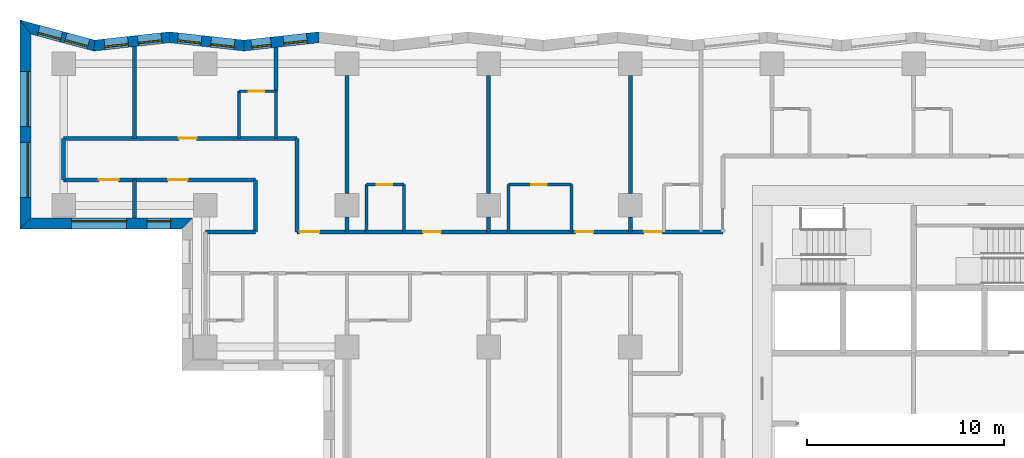
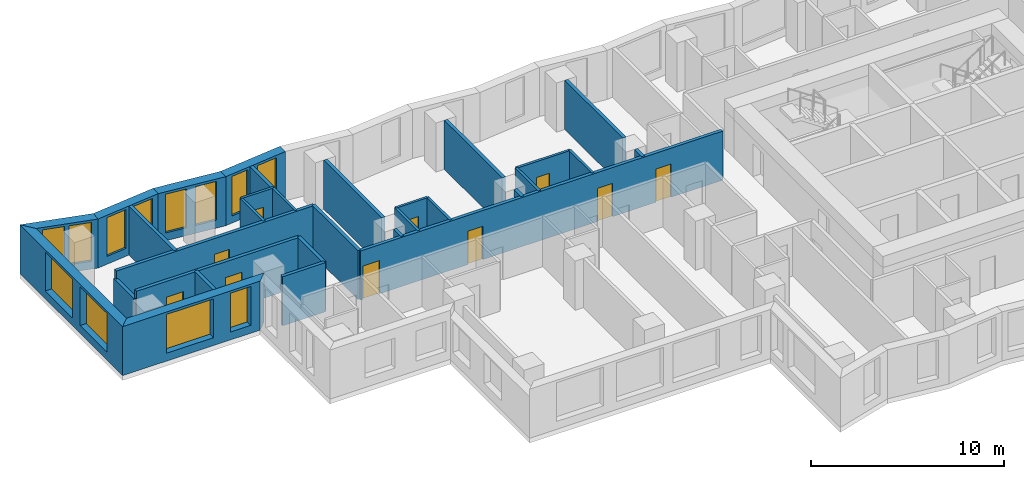
# One storey, part 4 of 13: 31 walls, 12 windows, 10 doors, 22 openings.
"""IFC4 building model written with IfcOpenShell, lengths in metres."""

from ifc_helpers import new_model, si_unit, direction, frame, frame_2d, origin, place, context, subcontext, project, spatial, polyline, rectangle, outline, extrude, material, layer, layer_set, type_object, element, fill, save


model = new_model("IFC4")

# Units and contexts
model_context = context("Model", 3, precision=1e-05, world=origin(), true_north=direction((0.0, 1.0)))
body_context = subcontext(model_context, "Body", "Model", "MODEL_VIEW")
ifc_project = project(units=[si_unit("LENGTHUNIT", "METRE"), si_unit("AREAUNIT", "SQUARE_METRE"), si_unit("VOLUMEUNIT", "CUBIC_METRE"), si_unit("PLANEANGLEUNIT", "RADIAN"), si_unit("MASSUNIT", "GRAM", prefix="KILO")], contexts=[model_context])

# Site, building, storey
site_placement = place(None, origin())
site = spatial("IfcSite", under=ifc_project, at=site_placement, CompositionType="ELEMENT")
building_placement = place(site_placement, origin())
building = spatial("IfcBuilding", under=site, at=building_placement, Name="Windrow Commons", CompositionType="ELEMENT")
storey_placement = place(building_placement, frame((0.0, 0.0, 40.6)))
storey = spatial("IfcBuildingStorey", under=building, at=storey_placement, Name="L10", CompositionType="ELEMENT", Elevation=40.6)

# Wall, openings, windows
ifc_material_1 = material(Name="Brick masonry, red clay brick", Category="masonry")
ifc_layer_1 = layer(ifc_material_1, 0.55)
ifc_layer_set_1 = layer_set([ifc_layer_1], Name="Brick facade wall 550")
wall_type_1 = type_object("IfcWallType", Name="Brick facade wall 550", PredefinedType="SOLIDWALL", material=ifc_layer_set_1)
wall_1_placement = place(storey_placement, frame((34.5643, 73.3443, 0.0), z_axis=(0.0, 0.0, 1.0), x_axis=(-0.993907338, -0.1102188888, 0.0)))
wall_1 = element("IfcWall", 1, at=wall_1_placement, inside=storey, type_object=wall_type_1, Name="Brick facade wall L10 35", PredefinedType="SOLIDWALL", context=body_context, shape_type="SweptSolid", body=[
    extrude(outline(polyline([(-0.0305, -0.275), (3.7891, -0.275), (3.8501, 0.275), (0.0305, 0.275), (-0.0305, -0.275)])), origin(), (0.0, 0.0, 1.0), 3.1),
])
opening_1_placement = place(wall_1_placement, frame((0.604, 0.0, 0.5)))
opening_1 = element("IfcOpeningElement", 2, at=opening_1_placement, cuts=wall_1, Name="Opening W7D", PredefinedType="OPENING", context=body_context, shape_type="SweptSolid", body=[
    extrude(rectangle(XDim=1.2, YDim=2.45, at=frame_2d((0.6, 1.225))), frame((0.0, 0.285, 0.0), z_axis=(0.0, -1.0, 0.0), x_axis=(1.0, 0.0, 0.0)), (0.0, 0.0, 1.0), 0.57),
])
opening_2_placement = place(wall_1_placement, frame((2.4388, 0.0, 0.45)))
opening_2 = element("IfcOpeningElement", 3, at=opening_2_placement, cuts=wall_1, Name="Opening W1S", PredefinedType="OPENING", context=body_context, shape_type="SweptSolid", body=[
    extrude(rectangle(XDim=1.0, YDim=2.5, at=frame_2d((0.5, 1.25))), frame((0.0, 0.285, 0.0), z_axis=(0.0, -1.0, 0.0), x_axis=(1.0, 0.0, 0.0)), (0.0, 0.0, 1.0), 0.57),
])
ifc_material_2 = material(Name="Clear float glass in anodised aluminium frame", Category="aluminium")
window_type_1 = type_object("IfcWindowType", Name="Window W1S slit 1000x2500", PartitioningType="SINGLE_PANEL", PredefinedType="WINDOW", material=ifc_material_2)
window_1_placement = place(opening_2_placement, origin())
window_1 = element("IfcWindow", 4, at=window_1_placement, inside=storey, type_object=window_type_1, Name="Window L10 35.2A", OverallHeight=2.5, OverallWidth=1.0, PartitioningType="SINGLE_PANEL", PredefinedType="WINDOW", context=body_context, shape_type="SweptSolid", body=[
    extrude(rectangle(XDim=1.0, YDim=2.5, at=frame_2d((0.5, 1.25))), frame((0.0, 0.155, 0.0), z_axis=(0.0, -1.0, 0.0), x_axis=(1.0, 0.0, 0.0)), (0.0, 0.0, 1.0), 0.06),
])
fill(opening_2, window_1)
ifc_material_3 = material(Name="Clear float glass in anodised aluminium frame", Category="aluminium")
window_type_2 = type_object("IfcWindowType", Name="Window W7 notch 1200x2450", PartitioningType="SINGLE_PANEL", PredefinedType="WINDOW", material=ifc_material_3)
window_2_placement = place(opening_1_placement, origin())
window_2 = element("IfcWindow", 5, at=window_2_placement, inside=storey, type_object=window_type_2, Name="Window L10 35.1", OverallHeight=2.45, OverallWidth=1.2, PartitioningType="SINGLE_PANEL", PredefinedType="WINDOW", context=body_context, shape_type="SweptSolid", body=[
    extrude(rectangle(XDim=1.2, YDim=2.45, at=frame_2d((0.6, 1.225))), frame((0.0, 0.155, 0.0), z_axis=(0.0, -1.0, 0.0), x_axis=(1.0, 0.0, 0.0)), (0.0, 0.0, 1.0), 0.06),
])
fill(opening_1, window_2)

wall_2_placement = place(storey_placement, frame((30.7679, 72.9233, 0.0), z_axis=(0.0, 0.0, 1.0), x_axis=(-0.99390702, 0.1102217568, 0.0)))
wall_2 = element("IfcWall", 6, at=wall_2_placement, inside=storey, type_object=wall_type_1, Name="Brick facade wall L10 36", PredefinedType="SOLIDWALL", context=body_context, shape_type="SweptSolid", body=[
    extrude(outline(polyline([(0.0305, -0.275), (3.8501, -0.275), (3.7891, 0.275), (-0.0305, 0.275), (0.0305, -0.275)])), origin(), (0.0, 0.0, 1.0), 3.1),
])
opening_3_placement = place(wall_2_placement, frame((0.49, 0.0, 0.5)))
opening_3 = element("IfcOpeningElement", 7, at=opening_3_placement, cuts=wall_2, Name="Opening W7D", PredefinedType="OPENING", context=body_context, shape_type="SweptSolid", body=[
    extrude(rectangle(XDim=1.2, YDim=2.45, at=frame_2d((0.6, 1.225))), frame((0.0, 0.285, 0.0), z_axis=(0.0, -1.0, 0.0), x_axis=(1.0, 0.0, 0.0)), (0.0, 0.0, 1.0), 0.57),
])
opening_4_placement = place(wall_2_placement, frame((2.1845, 0.0, 0.5)))
opening_4 = element("IfcOpeningElement", 8, at=opening_4_placement, cuts=wall_2, Name="Opening W7D", PredefinedType="OPENING", context=body_context, shape_type="SweptSolid", body=[
    extrude(rectangle(XDim=1.2, YDim=2.45, at=frame_2d((0.6, 1.225))), frame((0.0, 0.285, 0.0), z_axis=(0.0, -1.0, 0.0), x_axis=(1.0, 0.0, 0.0)), (0.0, 0.0, 1.0), 0.57),
])
window_3_placement = place(opening_3_placement, origin())
window_3 = element("IfcWindow", 9, at=window_3_placement, inside=storey, type_object=window_type_2, Name="Window L10 36.1", OverallHeight=2.45, OverallWidth=1.2, PartitioningType="SINGLE_PANEL", PredefinedType="WINDOW", context=body_context, shape_type="SweptSolid", body=[
    extrude(rectangle(XDim=1.2, YDim=2.45, at=frame_2d((0.6, 1.225))), frame((0.0, 0.155, 0.0), z_axis=(0.0, -1.0, 0.0), x_axis=(1.0, 0.0, 0.0)), (0.0, 0.0, 1.0), 0.06),
])
fill(opening_3, window_3)
window_4_placement = place(opening_4_placement, origin())
window_4 = element("IfcWindow", 10, at=window_4_placement, inside=storey, type_object=window_type_2, Name="Window L10 36.2", OverallHeight=2.45, OverallWidth=1.2, PartitioningType="SINGLE_PANEL", PredefinedType="WINDOW", context=body_context, shape_type="SweptSolid", body=[
    extrude(rectangle(XDim=1.2, YDim=2.45, at=frame_2d((0.6, 1.225))), frame((0.0, 0.155, 0.0), z_axis=(0.0, -1.0, 0.0), x_axis=(1.0, 0.0, 0.0)), (0.0, 0.0, 1.0), 0.06),
])
fill(opening_4, window_4)

wall_3_placement = place(storey_placement, frame((26.9716, 73.3443, 0.0), z_axis=(0.0, 0.0, 1.0), x_axis=(-0.9939087915, -0.1102057815, 0.0)))
wall_3 = element("IfcWall", 11, at=wall_3_placement, inside=storey, type_object=wall_type_1, Name="Brick facade wall L10 37", PredefinedType="SOLIDWALL", context=body_context, shape_type="SweptSolid", body=[
    extrude(outline(polyline([(-0.0305, -0.275), (3.7891, -0.275), (3.8929, 0.275), (0.0305, 0.275), (-0.0305, -0.275)])), origin(), (0.0, 0.0, 1.0), 3.1),
])
opening_5_placement = place(wall_3_placement, frame((0.4065, 0.0, 0.5)))
opening_5 = element("IfcOpeningElement", 12, at=opening_5_placement, cuts=wall_3, Name="Opening W7D", PredefinedType="OPENING", context=body_context, shape_type="SweptSolid", body=[
    extrude(rectangle(XDim=1.2, YDim=2.45, at=frame_2d((0.6, 1.225))), frame((0.0, 0.285, 0.0), z_axis=(0.0, -1.0, 0.0), x_axis=(1.0, 0.0, 0.0)), (0.0, 0.0, 1.0), 0.57),
])
opening_6_placement = place(wall_3_placement, frame((2.1117, 0.0, 0.5)))
opening_6 = element("IfcOpeningElement", 13, at=opening_6_placement, cuts=wall_3, Name="Opening W7D", PredefinedType="OPENING", context=body_context, shape_type="SweptSolid", body=[
    extrude(rectangle(XDim=1.2, YDim=2.45, at=frame_2d((0.6, 1.225))), frame((0.0, 0.285, 0.0), z_axis=(0.0, -1.0, 0.0), x_axis=(1.0, 0.0, 0.0)), (0.0, 0.0, 1.0), 0.57),
])
window_5_placement = place(opening_5_placement, origin())
window_5 = element("IfcWindow", 14, at=window_5_placement, inside=storey, type_object=window_type_2, Name="Window L10 37.1", OverallHeight=2.45, OverallWidth=1.2, PartitioningType="SINGLE_PANEL", PredefinedType="WINDOW", context=body_context, shape_type="SweptSolid", body=[
    extrude(rectangle(XDim=1.2, YDim=2.45, at=frame_2d((0.6, 1.225))), frame((0.0, 0.155, 0.0), z_axis=(0.0, -1.0, 0.0), x_axis=(1.0, 0.0, 0.0)), (0.0, 0.0, 1.0), 0.06),
])
fill(opening_5, window_5)
window_6_placement = place(opening_6_placement, origin())
window_6 = element("IfcWindow", 15, at=window_6_placement, inside=storey, type_object=window_type_2, Name="Window L10 37.2", OverallHeight=2.45, OverallWidth=1.2, PartitioningType="SINGLE_PANEL", PredefinedType="WINDOW", context=body_context, shape_type="SweptSolid", body=[
    extrude(rectangle(XDim=1.2, YDim=2.45, at=frame_2d((0.6, 1.225))), frame((0.0, 0.155, 0.0), z_axis=(0.0, -1.0, 0.0), x_axis=(1.0, 0.0, 0.0)), (0.0, 0.0, 1.0), 0.06),
])
fill(opening_6, window_6)

wall_4_placement = place(storey_placement, frame((23.154, 72.921, 0.0), z_axis=(0.0, 0.0, 1.0), x_axis=(-0.9656855195, 0.2597142227, 0.0)))
wall_4 = element("IfcWall", 16, at=wall_4_placement, inside=storey, type_object=wall_type_1, Name="Brick facade wall L10 38", PredefinedType="SOLIDWALL", context=body_context, shape_type="SweptSolid", body=[
    extrude(outline(polyline([(0.0519, -0.275), (3.9831, -0.275), (3.2657, 0.275), (-0.0519, 0.275), (0.0519, -0.275)])), origin(), (0.0, 0.0, 1.0), 3.1),
])
opening_7_placement = place(wall_4_placement, frame((0.3046, 0.0, 0.5)))
opening_7 = element("IfcOpeningElement", 17, at=opening_7_placement, cuts=wall_4, Name="Opening W7D", PredefinedType="OPENING", context=body_context, shape_type="SweptSolid", body=[
    extrude(rectangle(XDim=1.2, YDim=2.45, at=frame_2d((0.6, 1.225))), frame((0.0, 0.285, 0.0), z_axis=(0.0, -1.0, 0.0), x_axis=(1.0, 0.0, 0.0)), (0.0, 0.0, 1.0), 0.57),
])
opening_8_placement = place(wall_4_placement, frame((1.7375, 0.0, 0.5)))
opening_8 = element("IfcOpeningElement", 18, at=opening_8_placement, cuts=wall_4, Name="Opening W7D", PredefinedType="OPENING", context=body_context, shape_type="SweptSolid", body=[
    extrude(rectangle(XDim=1.2, YDim=2.45, at=frame_2d((0.6, 1.225))), frame((0.0, 0.285, 0.0), z_axis=(0.0, -1.0, 0.0), x_axis=(1.0, 0.0, 0.0)), (0.0, 0.0, 1.0), 0.57),
])
window_7_placement = place(opening_7_placement, origin())
window_7 = element("IfcWindow", 19, at=window_7_placement, inside=storey, type_object=window_type_2, Name="Window L10 38.1", OverallHeight=2.45, OverallWidth=1.2, PartitioningType="SINGLE_PANEL", PredefinedType="WINDOW", context=body_context, shape_type="SweptSolid", body=[
    extrude(rectangle(XDim=1.2, YDim=2.45, at=frame_2d((0.6, 1.225))), frame((0.0, 0.155, 0.0), z_axis=(0.0, -1.0, 0.0), x_axis=(1.0, 0.0, 0.0)), (0.0, 0.0, 1.0), 0.06),
])
fill(opening_7, window_7)
window_8_placement = place(opening_8_placement, origin())
window_8 = element("IfcWindow", 20, at=window_8_placement, inside=storey, type_object=window_type_2, Name="Window L10 38.2", OverallHeight=2.45, OverallWidth=1.2, PartitioningType="SINGLE_PANEL", PredefinedType="WINDOW", context=body_context, shape_type="SweptSolid", body=[
    extrude(rectangle(XDim=1.2, YDim=2.45, at=frame_2d((0.6, 1.225))), frame((0.0, 0.155, 0.0), z_axis=(0.0, -1.0, 0.0), x_axis=(1.0, 0.0, 0.0)), (0.0, 0.0, 1.0), 0.06),
])
fill(opening_8, window_8)

wall_5_placement = place(storey_placement, frame((19.654, 73.8623, 0.0), z_axis=(0.0, 0.0, 1.0), x_axis=(0.0, -1.0, 0.0)))
wall_5 = element("IfcWall", 21, at=wall_5_placement, inside=storey, type_object=wall_type_1, Name="Brick facade wall L10 39", PredefinedType="SOLIDWALL", context=body_context, shape_type="SweptSolid", body=[
    extrude(outline(polyline([(-0.3587, -0.275), (10.2623, -0.275), (9.7123, 0.275), (0.3587, 0.275), (-0.3587, -0.275)])), origin(), (0.0, 0.0, 1.0), 3.1),
])
opening_9_placement = place(wall_5_placement, frame((2.2623, 0.0, 0.5)))
opening_9 = element("IfcOpeningElement", 22, at=opening_9_placement, cuts=wall_5, Name="Opening W1T", PredefinedType="OPENING", context=body_context, shape_type="SweptSolid", body=[
    extrude(rectangle(XDim=2.8, YDim=2.45, at=frame_2d((1.4, 1.225))), frame((0.0, 0.285, 0.0), z_axis=(0.0, -1.0, 0.0), x_axis=(1.0, 0.0, 0.0)), (0.0, 0.0, 1.0), 0.57),
])
opening_10_placement = place(wall_5_placement, frame((5.8623, 0.0, 0.5)))
opening_10 = element("IfcOpeningElement", 23, at=opening_10_placement, cuts=wall_5, Name="Opening W1T", PredefinedType="OPENING", context=body_context, shape_type="SweptSolid", body=[
    extrude(rectangle(XDim=2.8, YDim=2.45, at=frame_2d((1.4, 1.225))), frame((0.0, 0.285, 0.0), z_axis=(0.0, -1.0, 0.0), x_axis=(1.0, 0.0, 0.0)), (0.0, 0.0, 1.0), 0.57),
])
ifc_material_4 = material(Name="Clear float glass in anodised aluminium frame", Category="aluminium")
window_type_3 = type_object("IfcWindowType", Name="Window W1T bedroom 2800x2450", PartitioningType="SINGLE_PANEL", PredefinedType="WINDOW", material=ifc_material_4)
window_9_placement = place(opening_9_placement, origin())
window_9 = element("IfcWindow", 24, at=window_9_placement, inside=storey, type_object=window_type_3, Name="Window L10 39.1", OverallHeight=2.45, OverallWidth=2.8, PartitioningType="SINGLE_PANEL", PredefinedType="WINDOW", context=body_context, shape_type="SweptSolid", body=[
    extrude(rectangle(XDim=2.8, YDim=2.45, at=frame_2d((1.4, 1.225))), frame((0.0, 0.155, 0.0), z_axis=(0.0, -1.0, 0.0), x_axis=(1.0, 0.0, 0.0)), (0.0, 0.0, 1.0), 0.06),
])
fill(opening_9, window_9)
window_10_placement = place(opening_10_placement, origin())
window_10 = element("IfcWindow", 25, at=window_10_placement, inside=storey, type_object=window_type_3, Name="Window L10 39.2", OverallHeight=2.45, OverallWidth=2.8, PartitioningType="SINGLE_PANEL", PredefinedType="WINDOW", context=body_context, shape_type="SweptSolid", body=[
    extrude(rectangle(XDim=2.8, YDim=2.45, at=frame_2d((1.4, 1.225))), frame((0.0, 0.155, 0.0), z_axis=(0.0, -1.0, 0.0), x_axis=(1.0, 0.0, 0.0)), (0.0, 0.0, 1.0), 0.06),
])
fill(opening_10, window_10)

wall_6_placement = place(storey_placement, frame((19.654, 63.875, 0.0), z_axis=(0.0, 0.0, 1.0), x_axis=(1.0, 0.0, 0.0)))
wall_6 = element("IfcWall", 26, at=wall_6_placement, inside=storey, type_object=wall_type_1, Name="Brick facade wall L10 40", PredefinedType="SOLIDWALL", context=body_context, shape_type="SweptSolid", body=[
    extrude(outline(polyline([(-0.275, -0.275), (7.946, -0.275), (8.496, 0.275), (0.275, 0.275), (-0.275, -0.275)])), origin(), (0.0, 0.0, 1.0), 3.1),
])
opening_11_placement = place(wall_6_placement, frame((2.346, 0.0, 0.5)))
opening_11 = element("IfcOpeningElement", 27, at=opening_11_placement, cuts=wall_6, Name="Opening W1T", PredefinedType="OPENING", context=body_context, shape_type="SweptSolid", body=[
    extrude(rectangle(XDim=2.8, YDim=2.45, at=frame_2d((1.4, 1.225))), frame((0.0, 0.285, 0.0), z_axis=(0.0, -1.0, 0.0), x_axis=(1.0, 0.0, 0.0)), (0.0, 0.0, 1.0), 0.57),
])
opening_12_placement = place(wall_6_placement, frame((6.1835, 0.0, 0.5)))
opening_12 = element("IfcOpeningElement", 28, at=opening_12_placement, cuts=wall_6, Name="Opening W7D", PredefinedType="OPENING", context=body_context, shape_type="SweptSolid", body=[
    extrude(rectangle(XDim=1.2, YDim=2.45, at=frame_2d((0.6, 1.225))), frame((0.0, 0.285, 0.0), z_axis=(0.0, -1.0, 0.0), x_axis=(1.0, 0.0, 0.0)), (0.0, 0.0, 1.0), 0.57),
])
window_11_placement = place(opening_11_placement, origin())
window_11 = element("IfcWindow", 29, at=window_11_placement, inside=storey, type_object=window_type_3, Name="Window L10 40.1", OverallHeight=2.45, OverallWidth=2.8, PartitioningType="SINGLE_PANEL", PredefinedType="WINDOW", context=body_context, shape_type="SweptSolid", body=[
    extrude(rectangle(XDim=2.8, YDim=2.45, at=frame_2d((1.4, 1.225))), frame((0.0, 0.155, 0.0), z_axis=(0.0, -1.0, 0.0), x_axis=(1.0, 0.0, 0.0)), (0.0, 0.0, 1.0), 0.06),
])
fill(opening_11, window_11)
window_12_placement = place(opening_12_placement, origin())
window_12 = element("IfcWindow", 30, at=window_12_placement, inside=storey, type_object=window_type_2, Name="Window L10 40.2", OverallHeight=2.45, OverallWidth=1.2, PartitioningType="SINGLE_PANEL", PredefinedType="WINDOW", context=body_context, shape_type="SweptSolid", body=[
    extrude(rectangle(XDim=1.2, YDim=2.45, at=frame_2d((0.6, 1.225))), frame((0.0, 0.155, 0.0), z_axis=(0.0, -1.0, 0.0), x_axis=(1.0, 0.0, 0.0)), (0.0, 0.0, 1.0), 0.06),
])
fill(opening_12, window_12)

# Wall, openings, doors
ifc_material_5 = material(Name="Blockwork partition", Category="masonry")
ifc_layer_2 = layer(ifc_material_5, 0.2)
ifc_layer_set_2 = layer_set([ifc_layer_2], Name="IW-CORRIDOR-200")
wall_type_2 = type_object("IfcWallType", Name="IW-CORRIDOR-200", PredefinedType="PARTITIONING", material=ifc_layer_set_2)
wall_7_placement = place(storey_placement, frame((33.452, 63.45, 0.0), z_axis=(0.0, 0.0, 1.0), x_axis=(1.0, 0.0, 0.0)))
wall_7 = element("IfcWall", 31, at=wall_7_placement, inside=storey, type_object=wall_type_2, Name="W-L10-W001", PredefinedType="PARTITIONING", context=body_context, shape_type="SweptSolid", body=[
    extrude(rectangle(XDim=21.648, YDim=0.2, at=frame_2d((10.824, 0.0))), origin(), (0.0, 0.0, 1.0), 3.1),
])
opening_13_placement = place(wall_7_placement, frame((0.1418, 0.0, 0.0)))
opening_13 = element("IfcOpeningElement", 32, at=opening_13_placement, cuts=wall_7, Name="Opening D310F", PredefinedType="OPENING", context=body_context, shape_type="SweptSolid", body=[
    extrude(rectangle(XDim=1.0, YDim=2.1, at=frame_2d((0.5, 1.05))), frame((0.0, 0.11, 0.0), z_axis=(0.0, -1.0, 0.0), x_axis=(1.0, 0.0, 0.0)), (0.0, 0.0, 1.0), 0.22),
])
opening_14_placement = place(wall_7_placement, frame((6.4121, 0.0, 0.0)))
opening_14 = element("IfcOpeningElement", 33, at=opening_14_placement, cuts=wall_7, Name="Opening D109F", PredefinedType="OPENING", context=body_context, shape_type="SweptSolid", body=[
    extrude(rectangle(XDim=0.9, YDim=2.1, at=frame_2d((0.45, 1.05))), frame((0.0, 0.11, 0.0), z_axis=(0.0, -1.0, 0.0), x_axis=(1.0, 0.0, 0.0)), (0.0, 0.0, 1.0), 0.22),
])
opening_15_placement = place(wall_7_placement, frame((14.168, 0.0, 0.0)))
opening_15 = element("IfcOpeningElement", 34, at=opening_15_placement, cuts=wall_7, Name="Opening D109F", PredefinedType="OPENING", context=body_context, shape_type="SweptSolid", body=[
    extrude(rectangle(XDim=0.9, YDim=2.1, at=frame_2d((0.45, 1.05))), frame((0.0, 0.11, 0.0), z_axis=(0.0, -1.0, 0.0), x_axis=(1.0, 0.0, 0.0)), (0.0, 0.0, 1.0), 0.22),
])
opening_16_placement = place(wall_7_placement, frame((17.6513, 0.0, 0.0)))
opening_16 = element("IfcOpeningElement", 35, at=opening_16_placement, cuts=wall_7, Name="Opening D109S", PredefinedType="OPENING", context=body_context, shape_type="SweptSolid", body=[
    extrude(rectangle(XDim=0.9, YDim=2.1, at=frame_2d((0.45, 1.05))), frame((0.0, 0.11, 0.0), z_axis=(0.0, -1.0, 0.0), x_axis=(1.0, 0.0, 0.0)), (0.0, 0.0, 1.0), 0.22),
])
ifc_material_6 = material(Name="Timber door leaf", Category="wood")
door_type_1 = type_object("IfcDoorType", Name="DT-AMENITY-1000", OperationType="SINGLE_SWING_LEFT", PredefinedType="DOOR", material=ifc_material_6)
door_1_placement = place(opening_13_placement, origin())
door_1 = element("IfcDoor", 36, at=door_1_placement, inside=storey, type_object=door_type_1, Name="D-L10-D012", OperationType="SINGLE_SWING_LEFT", OverallHeight=2.1, OverallWidth=1.0, PredefinedType="DOOR", context=body_context, shape_type="SweptSolid", body=[
    extrude(rectangle(XDim=1.0, YDim=2.1, at=frame_2d((0.5, 1.05))), frame((0.0, 0.025, 0.0), z_axis=(0.0, -1.0, 0.0), x_axis=(1.0, 0.0, 0.0)), (0.0, 0.0, 1.0), 0.05),
])
fill(opening_13, door_1)
ifc_material_7 = material(Name="Timber door leaf", Category="wood")
door_type_2 = type_object("IfcDoorType", Name="DT-BEDROOM-900", OperationType="SINGLE_SWING_LEFT", PredefinedType="DOOR", material=ifc_material_7)
door_2_placement = place(opening_14_placement, origin())
door_2 = element("IfcDoor", 37, at=door_2_placement, inside=storey, type_object=door_type_2, Name="D-L10-D013", OperationType="SINGLE_SWING_RIGHT", OverallHeight=2.1, OverallWidth=0.9, PredefinedType="DOOR", context=body_context, shape_type="SweptSolid", body=[
    extrude(rectangle(XDim=0.9, YDim=2.1, at=frame_2d((0.45, 1.05))), frame((0.0, 0.025, 0.0), z_axis=(0.0, -1.0, 0.0), x_axis=(1.0, 0.0, 0.0)), (0.0, 0.0, 1.0), 0.05),
])
fill(opening_14, door_2)
door_3_placement = place(opening_15_placement, origin())
door_3 = element("IfcDoor", 38, at=door_3_placement, inside=storey, type_object=door_type_2, Name="D-L10-D015", OperationType="SINGLE_SWING_RIGHT", OverallHeight=2.1, OverallWidth=0.9, PredefinedType="DOOR", context=body_context, shape_type="SweptSolid", body=[
    extrude(rectangle(XDim=0.9, YDim=2.1, at=frame_2d((0.45, 1.05))), frame((0.0, 0.025, 0.0), z_axis=(0.0, -1.0, 0.0), x_axis=(1.0, 0.0, 0.0)), (0.0, 0.0, 1.0), 0.05),
])
fill(opening_15, door_3)
door_4_placement = place(opening_16_placement, origin())
door_4 = element("IfcDoor", 39, at=door_4_placement, inside=storey, type_object=door_type_2, Name="D-L10-D017", OperationType="SINGLE_SWING_RIGHT", OverallHeight=2.1, OverallWidth=0.9, PredefinedType="DOOR", context=body_context, shape_type="SweptSolid", body=[
    extrude(rectangle(XDim=0.9, YDim=2.1, at=frame_2d((0.45, 1.05))), frame((0.0, 0.025, 0.0), z_axis=(0.0, -1.0, 0.0), x_axis=(1.0, 0.0, 0.0)), (0.0, 0.0, 1.0), 0.05),
])
fill(opening_16, door_4)

# Wall, opening, door
wall_8_placement = place(storey_placement, frame((21.602, 68.2, 0.0), z_axis=(0.0, 0.0, 1.0), x_axis=(1.0, 0.0, 0.0)))
wall_8 = element("IfcWall", 40, at=wall_8_placement, inside=storey, type_object=wall_type_2, Name="W-L10-W006", PredefinedType="PARTITIONING", context=body_context, shape_type="SweptSolid", body=[
    extrude(rectangle(XDim=11.848, YDim=0.2, at=frame_2d((5.924, 0.0))), origin(), (0.0, 0.0, 1.0), 3.1),
])
opening_17_placement = place(wall_8_placement, frame((5.8546, 0.0, 0.0)))
opening_17 = element("IfcOpeningElement", 41, at=opening_17_placement, cuts=wall_8, Name="Opening D109F", PredefinedType="OPENING", context=body_context, shape_type="SweptSolid", body=[
    extrude(rectangle(XDim=0.9, YDim=2.1, at=frame_2d((0.45, 1.05))), frame((0.0, 0.11, 0.0), z_axis=(0.0, -1.0, 0.0), x_axis=(1.0, 0.0, 0.0)), (0.0, 0.0, 1.0), 0.22),
])
door_5_placement = place(opening_17_placement, origin())
door_5 = element("IfcDoor", 42, at=door_5_placement, inside=storey, type_object=door_type_2, Name="D-L10-D003", OperationType="SINGLE_SWING_LEFT", OverallHeight=2.1, OverallWidth=0.9, PredefinedType="DOOR", context=body_context, shape_type="SweptSolid", body=[
    extrude(rectangle(XDim=0.9, YDim=2.1, at=frame_2d((0.45, 1.05))), frame((0.0, 0.025, 0.0), z_axis=(0.0, -1.0, 0.0), x_axis=(1.0, 0.0, 0.0)), (0.0, 0.0, 1.0), 0.05),
])
fill(opening_17, door_5)

# Wall, openings, doors
wall_9_placement = place(storey_placement, frame((21.602, 66.1, 0.0), z_axis=(0.0, 0.0, 1.0), x_axis=(1.0, 0.0, 0.0)))
wall_9 = element("IfcWall", 43, at=wall_9_placement, inside=storey, type_object=wall_type_2, Name="W-L10-W012", PredefinedType="PARTITIONING", context=body_context, shape_type="SweptSolid", body=[
    extrude(rectangle(XDim=9.748, YDim=0.2, at=frame_2d((4.874, 0.0))), origin(), (0.0, 0.0, 1.0), 3.1),
])
opening_18_placement = place(wall_9_placement, frame((1.7907, 0.0, 0.0)))
opening_18 = element("IfcOpeningElement", 44, at=opening_18_placement, cuts=wall_9, Name="Opening D310F", PredefinedType="OPENING", context=body_context, shape_type="SweptSolid", body=[
    extrude(rectangle(XDim=1.0, YDim=2.1, at=frame_2d((0.5, 1.05))), frame((0.0, 0.11, 0.0), z_axis=(0.0, -1.0, 0.0), x_axis=(1.0, 0.0, 0.0)), (0.0, 0.0, 1.0), 0.22),
])
opening_19_placement = place(wall_9_placement, frame((5.2996, 0.0, 0.0)))
opening_19 = element("IfcOpeningElement", 45, at=opening_19_placement, cuts=wall_9, Name="Opening D310F", PredefinedType="OPENING", context=body_context, shape_type="SweptSolid", body=[
    extrude(rectangle(XDim=1.0, YDim=2.1, at=frame_2d((0.5, 1.05))), frame((0.0, 0.11, 0.0), z_axis=(0.0, -1.0, 0.0), x_axis=(1.0, 0.0, 0.0)), (0.0, 0.0, 1.0), 0.22),
])
door_6_placement = place(opening_18_placement, origin())
door_6 = element("IfcDoor", 46, at=door_6_placement, inside=storey, type_object=door_type_1, Name="D-L10-D001", OperationType="SINGLE_SWING_RIGHT", OverallHeight=2.1, OverallWidth=1.0, PredefinedType="DOOR", context=body_context, shape_type="SweptSolid", body=[
    extrude(rectangle(XDim=1.0, YDim=2.1, at=frame_2d((0.5, 1.05))), frame((0.0, 0.025, 0.0), z_axis=(0.0, -1.0, 0.0), x_axis=(1.0, 0.0, 0.0)), (0.0, 0.0, 1.0), 0.05),
])
fill(opening_18, door_6)
door_7_placement = place(opening_19_placement, origin())
door_7 = element("IfcDoor", 47, at=door_7_placement, inside=storey, type_object=door_type_1, Name="D-L10-D002", OperationType="SINGLE_SWING_RIGHT", OverallHeight=2.1, OverallWidth=1.0, PredefinedType="DOOR", context=body_context, shape_type="SweptSolid", body=[
    extrude(rectangle(XDim=1.0, YDim=2.1, at=frame_2d((0.5, 1.05))), frame((0.0, 0.025, 0.0), z_axis=(0.0, -1.0, 0.0), x_axis=(1.0, 0.0, 0.0)), (0.0, 0.0, 1.0), 0.05),
])
fill(opening_19, door_7)

# Walls
wall_10_placement = place(storey_placement, frame((33.45, 63.452, 0.0), z_axis=(0.0, 0.0, 1.0), x_axis=(0.0, 1.0, 0.0)))
element("IfcWall", 48, at=wall_10_placement, inside=storey, type_object=wall_type_2, Name="W-L10-W041", PredefinedType="PARTITIONING", context=body_context, shape_type="SweptSolid", body=[
    extrude(rectangle(XDim=4.748, YDim=0.2, at=frame_2d((2.374, 0.0))), origin(), (0.0, 0.0, 1.0), 3.1),
])
wall_11_placement = place(storey_placement, frame((31.35, 63.452, 0.0), z_axis=(0.0, 0.0, 1.0), x_axis=(0.0, 1.0, 0.0)))
element("IfcWall", 49, at=wall_11_placement, inside=storey, type_object=wall_type_2, Name="W-L10-W065", PredefinedType="PARTITIONING", context=body_context, shape_type="SweptSolid", body=[
    extrude(rectangle(XDim=2.648, YDim=0.2, at=frame_2d((1.324, 0.0))), origin(), (0.0, 0.0, 1.0), 3.1),
])
wall_12_placement = place(storey_placement, frame((28.802, 63.45, 0.0), z_axis=(0.0, 0.0, 1.0), x_axis=(1.0, 0.0, 0.0)))
element("IfcWall", 50, at=wall_12_placement, inside=storey, type_object=wall_type_2, Name="W-L10-W067", PredefinedType="PARTITIONING", context=body_context, shape_type="SweptSolid", body=[
    extrude(rectangle(XDim=2.548, YDim=0.2, at=frame_2d((1.274, 0.0))), origin(), (0.0, 0.0, 1.0), 3.1),
])
wall_13_placement = place(storey_placement, frame((21.6, 66.102, 0.0), z_axis=(0.0, 0.0, 1.0), x_axis=(0.0, 1.0, 0.0)))
element("IfcWall", 51, at=wall_13_placement, inside=storey, type_object=wall_type_2, Name="W-L10-W119", PredefinedType="PARTITIONING", context=body_context, shape_type="SweptSolid", body=[
    extrude(rectangle(XDim=2.096, YDim=0.2, at=frame_2d((1.048, 0.0))), origin(), (0.0, 0.0, 1.0), 2.6),
])

# Wall, opening, door
ifc_material_8 = material(Name="Blockwork partition", Category="masonry")
ifc_layer_3 = layer(ifc_material_8, 0.15)
ifc_layer_set_3 = layer_set([ifc_layer_3], Name="IW-ENSUITE-150")
wall_type_3 = type_object("IfcWallType", Name="IW-ENSUITE-150", PredefinedType="PARTITIONING", material=ifc_layer_set_3)
wall_14_placement = place(storey_placement, frame((44.2, 65.85, 0.0), z_axis=(0.0, 0.0, 1.0), x_axis=(1.0, 0.0, 0.0)))
wall_14 = element("IfcWall", 52, at=wall_14_placement, inside=storey, type_object=wall_type_3, Name="W-L10-W061", PredefinedType="PARTITIONING", context=body_context, shape_type="SweptSolid", body=[
    extrude(rectangle(XDim=3.2, YDim=0.15, at=frame_2d((1.6, 0.0))), origin(), (0.0, 0.0, 1.0), 3.1),
])
opening_20_placement = place(wall_14_placement, frame((1.154, 0.0, 0.0)))
opening_20 = element("IfcOpeningElement", 53, at=opening_20_placement, cuts=wall_14, Name="Opening D208N", PredefinedType="OPENING", context=body_context, shape_type="SweptSolid", body=[
    extrude(rectangle(XDim=0.8, YDim=2.1, at=frame_2d((0.4, 1.05))), frame((0.0, 0.085, 0.0), z_axis=(0.0, -1.0, 0.0), x_axis=(1.0, 0.0, 0.0)), (0.0, 0.0, 1.0), 0.17),
])
ifc_material_9 = material(Name="Timber door leaf", Category="wood")
door_type_3 = type_object("IfcDoorType", Name="DT-ENSUITE-800", OperationType="SINGLE_SWING_LEFT", PredefinedType="DOOR", material=ifc_material_9)
door_8_placement = place(opening_20_placement, origin())
door_8 = element("IfcDoor", 54, at=door_8_placement, inside=storey, type_object=door_type_3, Name="D-L10-D016", OperationType="SINGLE_SWING_RIGHT", OverallHeight=2.1, OverallWidth=0.8, PredefinedType="DOOR", context=body_context, shape_type="SweptSolid", body=[
    extrude(rectangle(XDim=0.8, YDim=2.1, at=frame_2d((0.4, 1.05))), frame((0.0, 0.025, 0.0), z_axis=(0.0, -1.0, 0.0), x_axis=(1.0, 0.0, 0.0)), (0.0, 0.0, 1.0), 0.05),
])
fill(opening_20, door_8)

# Walls
for number, where, z_axis, x_axis, name in (
    (55, (30.5, 68.2, 0.0), (0.0, 0.0, 1.0), (0.0, 1.0, 0.0), "W-L10-W092"),
    (56, (32.4, 68.2, 0.0), (0.0, 0.0, 1.0), (0.0, 1.0, 0.0), "W-L10-W093"),
    (57, (37.0, 63.45, 0.0), (0.0, 0.0, 1.0), (0.0, 1.0, 0.0), "W-L10-W094"),
    (58, (38.9, 63.45, 0.0), (0.0, 0.0, 1.0), (0.0, 1.0, 0.0), "W-L10-W095"),
    (59, (44.2, 63.45, 0.0), (0.0, 0.0, 1.0), (0.0, 1.0, 0.0), "W-L10-W096"),
    (60, (47.4, 63.45, 0.0), (0.0, 0.0, 1.0), (0.0, 1.0, 0.0), "W-L10-W097"),
):
    element("IfcWall", number, at=place(storey_placement, frame(where, z_axis=z_axis, x_axis=x_axis)), inside=storey, type_object=wall_type_3, Name=name, PredefinedType="PARTITIONING", context=body_context, shape_type="SweptSolid", body=[
        extrude(rectangle(XDim=2.4, YDim=0.15, at=frame_2d((1.2, 0.0))), origin(), (0.0, 0.0, 1.0), 3.1),
    ])

# Wall, opening, door
wall_15_placement = place(storey_placement, frame((30.5, 70.6, 0.0), z_axis=(0.0, 0.0, 1.0), x_axis=(1.0, 0.0, 0.0)))
wall_15 = element("IfcWall", 61, at=wall_15_placement, inside=storey, type_object=wall_type_3, Name="W-L10-W131", PredefinedType="PARTITIONING", context=body_context, shape_type="SweptSolid", body=[
    extrude(rectangle(XDim=1.9, YDim=0.15, at=frame_2d((0.95, 0.0))), origin(), (0.0, 0.0, 1.0), 3.1),
])
opening_21_placement = place(wall_15_placement, frame((0.4931, 0.0, 0.0)))
opening_21 = element("IfcOpeningElement", 62, at=opening_21_placement, cuts=wall_15, Name="Opening D208N", PredefinedType="OPENING", context=body_context, shape_type="SweptSolid", body=[
    extrude(rectangle(XDim=0.8, YDim=2.1, at=frame_2d((0.4, 1.05))), frame((0.0, 0.085, 0.0), z_axis=(0.0, -1.0, 0.0), x_axis=(1.0, 0.0, 0.0)), (0.0, 0.0, 1.0), 0.17),
])
door_9_placement = place(opening_21_placement, origin())
door_9 = element("IfcDoor", 63, at=door_9_placement, inside=storey, type_object=door_type_3, Name="D-L10-D004", OperationType="SINGLE_SWING_RIGHT", OverallHeight=2.1, OverallWidth=0.8, PredefinedType="DOOR", context=body_context, shape_type="SweptSolid", body=[
    extrude(rectangle(XDim=0.8, YDim=2.1, at=frame_2d((0.4, 1.05))), frame((0.0, 0.025, 0.0), z_axis=(0.0, -1.0, 0.0), x_axis=(1.0, 0.0, 0.0)), (0.0, 0.0, 1.0), 0.05),
])
fill(opening_21, door_9)

wall_16_placement = place(storey_placement, frame((37.0, 65.85, 0.0), z_axis=(0.0, 0.0, 1.0), x_axis=(1.0, 0.0, 0.0)))
wall_16 = element("IfcWall", 64, at=wall_16_placement, inside=storey, type_object=wall_type_3, Name="W-L10-W132", PredefinedType="PARTITIONING", context=body_context, shape_type="SweptSolid", body=[
    extrude(rectangle(XDim=1.9, YDim=0.15, at=frame_2d((0.95, 0.0))), origin(), (0.0, 0.0, 1.0), 3.1),
])
opening_22_placement = place(wall_16_placement, frame((0.5049, 0.0, 0.0)))
opening_22 = element("IfcOpeningElement", 65, at=opening_22_placement, cuts=wall_16, Name="Opening D208N", PredefinedType="OPENING", context=body_context, shape_type="SweptSolid", body=[
    extrude(rectangle(XDim=0.8, YDim=2.1, at=frame_2d((0.4, 1.05))), frame((0.0, 0.085, 0.0), z_axis=(0.0, -1.0, 0.0), x_axis=(1.0, 0.0, 0.0)), (0.0, 0.0, 1.0), 0.17),
])
door_10_placement = place(opening_22_placement, origin())
door_10 = element("IfcDoor", 66, at=door_10_placement, inside=storey, type_object=door_type_3, Name="D-L10-D014", OperationType="SINGLE_SWING_RIGHT", OverallHeight=2.1, OverallWidth=0.8, PredefinedType="DOOR", context=body_context, shape_type="SweptSolid", body=[
    extrude(rectangle(XDim=0.8, YDim=2.1, at=frame_2d((0.4, 1.05))), frame((0.0, 0.025, 0.0), z_axis=(0.0, -1.0, 0.0), x_axis=(1.0, 0.0, 0.0)), (0.0, 0.0, 1.0), 0.05),
])
fill(opening_22, door_10)

# Walls
ifc_material_10 = material(Name="Blockwork partition", Category="masonry")
ifc_layer_4 = layer(ifc_material_10, 0.2)
ifc_layer_set_4 = layer_set([ifc_layer_4], Name="IW-PARTY-200")
wall_type_4 = type_object("IfcWallType", Name="IW-PARTY-200", PredefinedType="PARTITIONING", material=ifc_layer_set_4)
for number, where, z_axis, x_axis, name in (
    (67, (36.0, 65.4, 0.0), (0.0, 0.0, 1.0), (0.0, 1.0, 0.0), "W-L10-W025"),
    (68, (43.2, 65.4, 0.0), (0.0, 0.0, 1.0), (0.0, 1.0, 0.0), "W-L10-W027"),
    (69, (50.4, 65.4, 0.0), (0.0, 0.0, 1.0), (0.0, 1.0, 0.0), "W-L10-W029"),
):
    element("IfcWall", number, at=place(storey_placement, frame(where, z_axis=z_axis, x_axis=x_axis)), inside=storey, type_object=wall_type_4, Name=name, PredefinedType="PARTITIONING", context=body_context, shape_type="SweptSolid", body=[
        extrude(rectangle(XDim=6.0, YDim=0.2, at=frame_2d((3.0, 0.0))), origin(), (0.0, 0.0, 1.0), 3.1),
    ])
wall_17_placement = place(storey_placement, frame((25.2, 68.2, 0.0), z_axis=(0.0, 0.0, 1.0), x_axis=(0.0, 1.0, 0.0)))
element("IfcWall", 70, at=wall_17_placement, inside=storey, type_object=wall_type_4, Name="W-L10-W044", PredefinedType="PARTITIONING", context=body_context, shape_type="SweptSolid", body=[
    extrude(rectangle(XDim=4.6712, YDim=0.2, at=frame_2d((2.3356, 0.0))), origin(), (0.0, 0.0, 1.0), 3.1),
])
wall_18_placement = place(storey_placement, frame((32.4, 70.6, 0.0), z_axis=(0.0, 0.0, 1.0), x_axis=(0.0, 1.0, 0.0)))
element("IfcWall", 71, at=wall_18_placement, inside=storey, type_object=wall_type_4, Name="W-L10-W112", PredefinedType="PARTITIONING", context=body_context, shape_type="SweptSolid", body=[
    extrude(rectangle(XDim=2.2276, YDim=0.2, at=frame_2d((1.1138, 0.0))), origin(), (0.0, 0.0, 1.0), 3.1),
])
wall_19_placement = place(storey_placement, frame((25.2, 64.15, 0.0), z_axis=(0.0, 0.0, 1.0), x_axis=(0.0, 1.0, 0.0)))
element("IfcWall", 72, at=wall_19_placement, inside=storey, type_object=wall_type_4, Name="W-L10-W137", PredefinedType="PARTITIONING", context=body_context, shape_type="SweptSolid", body=[
    extrude(rectangle(XDim=1.95, YDim=0.2, at=frame_2d((0.975, 0.0))), origin(), (0.0, 0.0, 1.0), 3.1),
])
for number, where, z_axis, x_axis, name in (
    (73, (36.0, 63.45, 0.0), (0.0, 0.0, 1.0), (0.0, 1.0, 0.0), "W-L10-W158"),
    (74, (43.2, 63.45, 0.0), (0.0, 0.0, 1.0), (0.0, 1.0, 0.0), "W-L10-W160"),
    (75, (50.4, 63.45, 0.0), (0.0, 0.0, 1.0), (0.0, 1.0, 0.0), "W-L10-W163"),
):
    element("IfcWall", number, at=place(storey_placement, frame(where, z_axis=z_axis, x_axis=x_axis)), inside=storey, type_object=wall_type_4, Name=name, PredefinedType="PARTITIONING", context=body_context, shape_type="SweptSolid", body=[
        extrude(rectangle(XDim=0.75, YDim=0.2, at=frame_2d((0.375, 0.0))), origin(), (0.0, 0.0, 1.0), 3.1),
    ])

save(model, "model.ifc")
